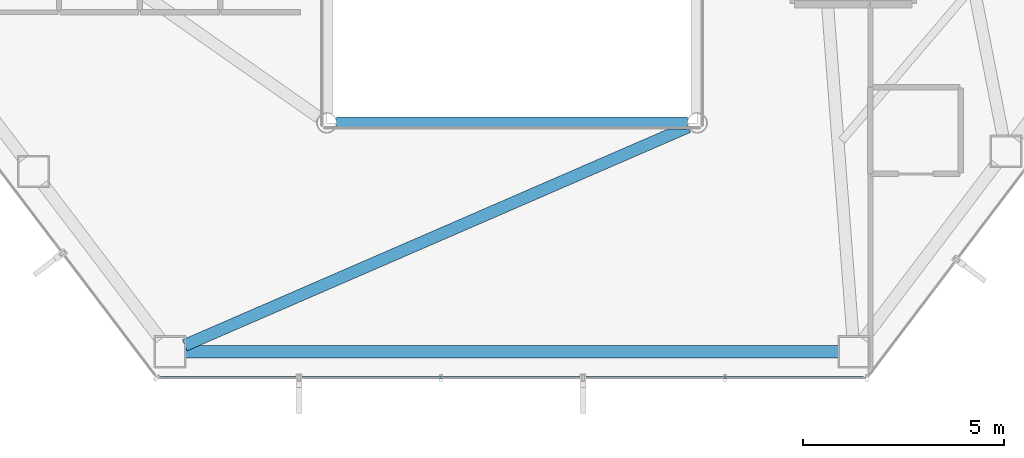
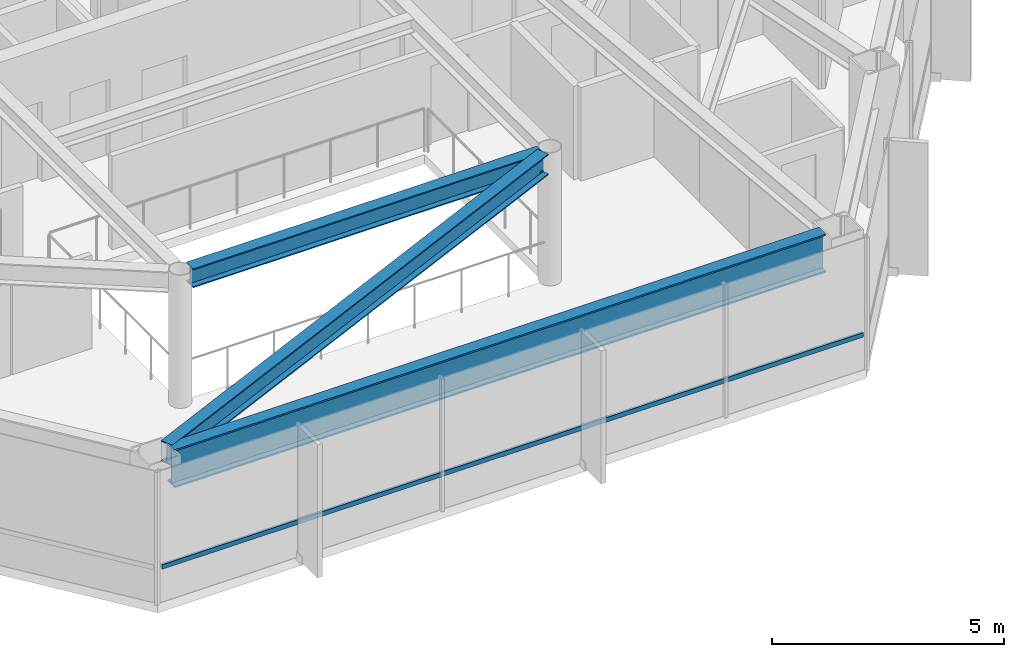
# One storey, part 7 of 28: 3 beams, 1 member, 1 element without a shape of its own.
"""IFC4 building model written with IfcOpenShell, lengths in metres."""

from ifc_helpers import new_model, si_unit, direction, frame, origin, origin_2d, place, context, subcontext, project, spatial, hollow_rectangle, i_section, extrude, material, layer, layer_set, material_profile, profile_set, type_object, element, aggregate, save


model = new_model("IFC4")

# Units and contexts
model_context = context("Model", 3, precision=1e-05, world=origin(), true_north=direction((0.0, 1.0)))
body_context = subcontext(model_context, "Body", "Model", "MODEL_VIEW")
ifc_project = project(units=[si_unit("LENGTHUNIT", "METRE"), si_unit("AREAUNIT", "SQUARE_METRE"), si_unit("VOLUMEUNIT", "CUBIC_METRE"), si_unit("PLANEANGLEUNIT", "RADIAN"), si_unit("MASSUNIT", "GRAM", prefix="KILO")], contexts=[model_context])

# Site, building, storey
site_placement = place(None, origin())
site = spatial("IfcSite", under=ifc_project, at=site_placement, CompositionType="ELEMENT")
building_placement = place(site_placement, origin())
building = spatial("IfcBuilding", under=site, at=building_placement, Name="Zarrinselat Tower", CompositionType="ELEMENT")
storey_placement = place(building_placement, frame((0.0, 0.0, 127.159912109375)))
storey = spatial("IfcBuildingStorey", under=building, at=storey_placement, Name="L30", CompositionType="ELEMENT", Elevation=127.159912109375)

# Beams
ifc_material_1 = material(Name="Steel S355J2", Category="steel")
ifc_material_profile_1 = material_profile(ifc_material_1, i_section(OverallWidth=0.300048828125, OverallDepth=0.5, WebThickness=0.014404296875, FlangeThickness=0.028076171875, at=origin_2d()), Name="HEB 500")
ifc_profile_set_1 = profile_set([ifc_material_profile_1], Name="Steel S355J2")
beam_type_1 = type_object("IfcBeamType", Name="BM-HEB500", PredefinedType="BEAM", material=ifc_profile_set_1)
beam_1_placement = place(storey_placement, frame((34.0400390625, 24.39990234375, 3.25), z_axis=(1.0, 0.0, 0.0), x_axis=(0.0, 1.0, 0.0)))
element("IfcBeam", 1, at=beam_1_placement, inside=storey, type_object=beam_type_1, Name="L30 Atrium Edge Beam S", PredefinedType="BEAM", context=body_context, shape_type="SweptSolid", body=[
    extrude(i_section(OverallWidth=0.300048828125, OverallDepth=0.5, WebThickness=0.014404296875, FlangeThickness=0.028076171875, at=origin_2d()), origin(), (0.0, 0.0, 1.0), 8.719970703125),
])
ifc_material_2 = material(Name="Steel S355J2", Category="steel")
ifc_material_profile_2 = material_profile(ifc_material_2, i_section(OverallWidth=0.300048828125, OverallDepth=0.550048828125, WebThickness=0.014892578125, FlangeThickness=0.029052734375, at=origin_2d()), Name="HEB 550")
ifc_profile_set_2 = profile_set([ifc_material_profile_2], Name="Steel S355J2")
beam_type_2 = type_object("IfcBeamType", Name="BM-HEB550", PredefinedType="BEAM", material=ifc_profile_set_2)
beam_2_placement = place(storey_placement, frame((30.27392578125, 18.87646484375, 3.22509765625), z_axis=(0.917320312977, 0.398150026245, 0.0), x_axis=(-0.398150026245, 0.917320312977, 0.0)))
element("IfcBeam", 2, at=beam_2_placement, inside=storey, type_object=beam_type_2, Name="L30 Radial Primary Girder RG10", PredefinedType="BEAM", context=body_context, shape_type="SweptSolid", body=[
    extrude(i_section(OverallWidth=0.300048828125, OverallDepth=0.550048828125, WebThickness=0.014892578125, FlangeThickness=0.029052734375, at=origin_2d()), origin(), (0.0, 0.0, 1.0), 13.623291015625),
])
ifc_material_3 = material(Name="Steel S460M", Category="steel")
ifc_material_profile_3 = material_profile(ifc_material_3, i_section(OverallWidth=0.302001953125, OverallDepth=1.008056640625, WebThickness=0.02099609375, FlangeThickness=0.0400390625, at=origin_2d()), Name="HEM 1000")
ifc_profile_set_3 = profile_set([ifc_material_profile_3], Name="Steel S460M")
beam_type_3 = type_object("IfcBeamType", Name="BM-HEM1000", PredefinedType="BEAM", material=ifc_profile_set_3)
beam_3_placement = place(storey_placement, frame((30.293212890625, 18.71630859375, 2.99609375), z_axis=(1.0, 0.0, 0.0), x_axis=(0.0, 1.0, 0.0)))
element("IfcBeam", 3, at=beam_3_placement, inside=storey, type_object=beam_type_3, Name="L30 Perimeter Spandrel Girder SP10", PredefinedType="BEAM", context=body_context, shape_type="SweptSolid", body=[
    extrude(i_section(OverallWidth=0.302001953125, OverallDepth=1.008056640625, WebThickness=0.02099609375, FlangeThickness=0.0400390625, at=origin_2d()), origin(), (0.0, 0.0, 1.0), 16.213623046875),
])

# Curtain wall, member
ifc_material_4 = material(Name="Extruded Aluminium Alloy EN AW-6063 T6", Category="aluminium")
ifc_layer = layer(ifc_material_4, 0.175048828125)
ifc_layer_set = layer_set([ifc_layer], Name="Extruded Aluminium Alloy EN AW-6063 T6")
curtain_wall_type = type_object("IfcCurtainWallType", Name="CWS-HTL", PredefinedType="NOTDEFINED", material=ifc_layer_set)
curtain_wall_placement = place(storey_placement, origin())
curtain_wall = element("IfcCurtainWall", 4, at=curtain_wall_placement, inside=storey, type_object=curtain_wall_type, Name="L30 Unitised Curtain Wall CW-L30-E04", PredefinedType="NOTDEFINED")
ifc_material_5 = material(Name="Extruded Aluminium Alloy EN AW-6063 T6", Category="aluminium")
ifc_material_profile_4 = material_profile(ifc_material_5, hollow_rectangle(XDim=0.06005859375, YDim=0.1201171875, WallThickness=0.00390625, at=origin_2d()), Name="RHS 120x60x4")
ifc_profile_set_4 = profile_set([ifc_material_profile_4], Name="Extruded Aluminium Alloy EN AW-6063 T6")
member_type = type_object("IfcMemberType", Name="MEM-CW-TRN2", PredefinedType="USERDEFINED", material=ifc_profile_set_4)
member_placement = place(storey_placement, frame((29.672119140625, 18.06640625, 0.9501953125), z_axis=(1.0, 0.0, 0.0), x_axis=(0.0, 1.0, 0.0)))
member = element("IfcMember", 5, at=member_placement, type_object=member_type, Name="CW-L30-E04 Transom 1", ObjectType="TRANSOM", PredefinedType="USERDEFINED", context=body_context, shape_type="SweptSolid", body=[
    extrude(hollow_rectangle(XDim=0.06005859375, YDim=0.1201171875, WallThickness=0.00390625, at=origin_2d()), origin(), (0.0, 0.0, 1.0), 17.455810546875),
])
aggregate(curtain_wall, [member])

save(model, "model.ifc")
